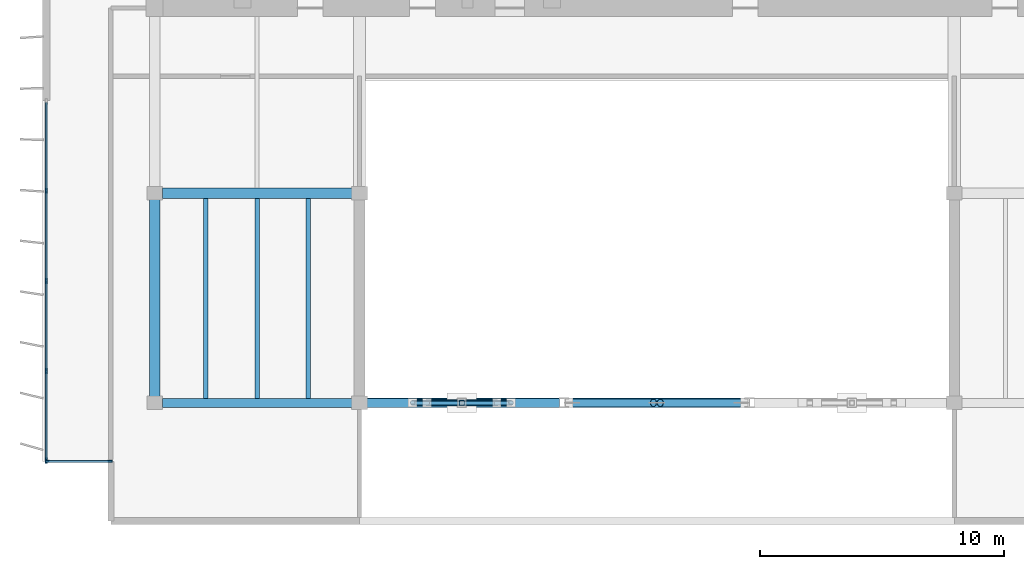
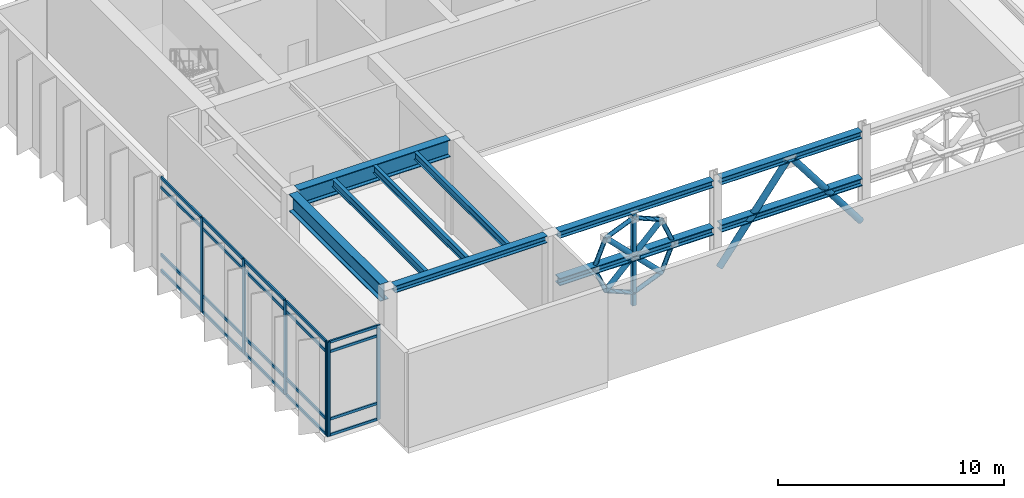
# One storey, part 2 of 10: 43 members, 10 beams, 2 elements without a shape of their own.
"""IFC4 building model written with IfcOpenShell, lengths in metres."""

import ifcopenshell
import ifcopenshell.guid

model = None  # the IFC model being written
_history = None  # IfcOwnerHistory: only IFC2X3 demands one
_inside = {}  # id of a spatial element -> (the spatial element, [elements in it])
_under = {}  # id of a project, library or spatial element -> (it, [spatial elements below it])
_declared = {}  # id of a project -> (the project, [libraries it declares])
_typed = {}  # id of a type object -> (the type object, [elements of that type])
_made_of = {}  # id of a material, layer set ... -> (it, [elements and type objects made of it])


def new_model(schema):
    """Start an empty IFC model of exactly this schema.

    Asked for "IFC4X3", IfcOpenShell would pick the latest addendum, in which some entities
    have other attributes; the version numbers below select the first issue.
    IFC2X3 requires an IfcOwnerHistory on every rooted entity: one is made here for all.
    """
    global model, _history
    if schema == "IFC4X3":
        model = ifcopenshell.file(schema_version=(4, 3, 0, 0))
    else:
        model = ifcopenshell.file(schema=schema)
    _inside.clear()
    _under.clear()
    _declared.clear()
    _typed.clear()
    _made_of.clear()
    _history = None
    if model.schema == "IFC2X3":
        org = make("IfcOrganization", Name="unknown")
        user = make(
            "IfcPersonAndOrganization",
            ThePerson=make("IfcPerson", FamilyName="unknown"),
            TheOrganization=org,
        )
        app = make(
            "IfcApplication",
            ApplicationDeveloper=org,
            Version="unknown",
            ApplicationFullName="unknown",
            ApplicationIdentifier="unknown",
        )
        _history = make(
            "IfcOwnerHistory",
            OwningUser=user,
            OwningApplication=app,
            ChangeAction="ADDED",
            CreationDate=0,
        )
    return model


def make(cls, **values):
    """One entity of the class cls with the attributes given. An attribute that is None is left unset."""
    return model.create_entity(
        cls, **{name: value for name, value in values.items() if value is not None}
    )


def rooted(cls, **values):
    """An entity with a GlobalId (a new one), such as an element, a storey or a relation."""
    return make(cls, GlobalId=ifcopenshell.guid.new(), OwnerHistory=_history, **values)


def si_unit(unit_type, name, prefix=None):
    """IfcSIUnit, for example si_unit("LENGTHUNIT", "METRE", prefix="MILLI")."""
    return make("IfcSIUnit", UnitType=unit_type, Prefix=prefix, Name=name)


def assignment(units):
    """IfcUnitAssignment: the units of a project."""
    return None if units is None else make("IfcUnitAssignment", Units=units)


def point(xyz):
    """IfcCartesianPoint."""
    return None if xyz is None else make("IfcCartesianPoint", Coordinates=xyz)


def direction(xyz):
    """IfcDirection."""
    return None if xyz is None else make("IfcDirection", DirectionRatios=xyz)


def frame(location, z_axis=None, x_axis=None):
    """IfcAxis2Placement3D, a coordinate frame: its origin and axes. An axis left out is left unset."""
    return make(
        "IfcAxis2Placement3D",
        Location=point(location),
        Axis=direction(z_axis),
        RefDirection=direction(x_axis),
    )


def frame_2d(location, x_axis=None):
    """IfcAxis2Placement2D, a coordinate frame in the plane: its origin and x axis."""
    return make(
        "IfcAxis2Placement2D", Location=point(location), RefDirection=direction(x_axis)
    )


def origin():
    """The frame at (0, 0, 0) with its axes left unset."""
    return frame((0.0, 0.0, 0.0))


def origin_2d():
    """The frame at (0, 0) in the plane with its x axis left unset."""
    return frame_2d((0.0, 0.0))


def place(relative_to, where):
    """IfcLocalPlacement: puts the frame where relative to a parent placement (None: the world)."""
    return make(
        "IfcLocalPlacement", PlacementRelTo=relative_to, RelativePlacement=where
    )


def context(
    kind, dimensions, precision=None, world=None, true_north=None, identifier=None
):
    """IfcGeometricRepresentationContext, for example the 3D "Model" context."""
    return make(
        "IfcGeometricRepresentationContext",
        ContextIdentifier=identifier,
        ContextType=kind,
        CoordinateSpaceDimension=dimensions,
        Precision=precision,
        WorldCoordinateSystem=world,
        TrueNorth=true_north,
    )


def subcontext(parent, identifier, kind, view, scale=None):
    """IfcGeometricRepresentationSubContext, for example "Body" below "Model"."""
    return make(
        "IfcGeometricRepresentationSubContext",
        ContextIdentifier=identifier,
        ContextType=kind,
        ParentContext=parent,
        TargetScale=scale,
        TargetView=view,
    )


def project(units=None, contexts=None):
    """IfcProject with its units and contexts."""
    return rooted(
        "IfcProject",
        Name="project",
        RepresentationContexts=contexts,
        UnitsInContext=assignment(units),
    )


def spatial(cls, under=None, at=None, **own):
    """A site, building, storey or space (cls), placed at a placement, below another one or the project."""
    s = rooted(cls, ObjectPlacement=at, **own)
    if under is not None:
        _under.setdefault(under.id(), (under, []))[1].append(s)
    return s


def profile(cls, at=None, kind="AREA", **sizes):
    """A parametric profile (cls). Its sizes go by their IFC names, for example OverallWidth=200.0."""
    return make(cls, ProfileType=kind, Position=at, **sizes)


def rectangle(**sizes):
    """IfcRectangleProfileDef."""
    return profile("IfcRectangleProfileDef", **sizes)


def hollow_rectangle(**sizes):
    """IfcRectangleHollowProfileDef."""
    return profile("IfcRectangleHollowProfileDef", **sizes)


def hollow_circle(**sizes):
    """IfcCircleHollowProfileDef."""
    return profile("IfcCircleHollowProfileDef", **sizes)


def i_section(**sizes):
    """IfcIShapeProfileDef."""
    return profile("IfcIShapeProfileDef", **sizes)


def extrude(swept, where, along, depth):
    """IfcExtrudedAreaSolid: the profile swept, set in the frame where, extruded along a direction by depth."""
    return make(
        "IfcExtrudedAreaSolid",
        SweptArea=swept,
        Position=where,
        ExtrudedDirection=direction(along),
        Depth=depth,
    )


def shape(context_of_items, identifier, shape_type, items):
    """IfcShapeRepresentation: the items that make up one representation, for example the "Body"."""
    return make(
        "IfcShapeRepresentation",
        ContextOfItems=context_of_items,
        RepresentationIdentifier=identifier,
        RepresentationType=shape_type,
        Items=items,
    )


def material(Name=None, Category=None):
    """IfcMaterial."""
    return make("IfcMaterial", Name=Name, Category=Category)


def layer(
    of_material, thickness, ventilated=None, Name=None, Category=None, Priority=None
):
    """IfcMaterialLayer: one layer of a wall or slab, of a material (None: an air gap)."""
    return make(
        "IfcMaterialLayer",
        Material=of_material,
        LayerThickness=thickness,
        IsVentilated=ventilated,
        Name=Name,
        Category=Category,
        Priority=Priority,
    )


def layer_set(layers, Name=None):
    """IfcMaterialLayerSet."""
    return make("IfcMaterialLayerSet", MaterialLayers=layers, LayerSetName=Name)


def material_profile(
    of_material, cross_section, Name=None, Category=None, Priority=None
):
    """IfcMaterialProfile: a cross section and its material."""
    return make(
        "IfcMaterialProfile",
        Name=Name,
        Material=of_material,
        Profile=cross_section,
        Priority=Priority,
        Category=Category,
    )


def profile_set(profiles, Name=None, composite=None):
    """IfcMaterialProfileSet."""
    return make(
        "IfcMaterialProfileSet",
        Name=Name,
        MaterialProfiles=profiles,
        CompositeProfile=composite,
    )


def made_of(thing, what):
    """Note that an element or type object is made of a material, layer set ...; save() writes the relation."""
    if what is not None:
        _made_of.setdefault(what.id(), (what, []))[1].append(thing)
    return thing


def type_object(cls, material=None, **own):
    """A type object (cls), such as IfcWallType, which elements share."""
    return made_of(rooted(cls, **own), material)


def element(
    cls,
    number,
    at=None,
    inside=None,
    cuts=None,
    type_object=None,
    material=None,
    context=None,
    identifier="Body",
    shape_type=None,
    held_by="IfcProductDefinitionShape",
    body=None,
    shapes=None,
    **own,
):
    """One element of the class cls, such as IfcWall. Its Tag is "e" and its number.

    at: its placement. inside: the storey or other place that contains it. cuts: it is an
    opening in that element (IfcRelVoidsElement). A single representation is given by context,
    identifier, shape_type and body (its items); several are given by shapes. held_by: the class
    of the entity that holds the representations. save() writes the other relations.
    """
    e = rooted(cls, Tag="e%d" % number, ObjectPlacement=at, **own)
    if body is not None:
        shapes = [shape(context, identifier, shape_type, body)]
    if shapes is not None:
        e.Representation = make(held_by, Representations=shapes)
    if inside is not None:
        _inside.setdefault(inside.id(), (inside, []))[1].append(e)
    if cuts is not None:
        rooted(
            "IfcRelVoidsElement", RelatingBuildingElement=cuts, RelatedOpeningElement=e
        )
    if type_object is not None:
        _typed.setdefault(type_object.id(), (type_object, []))[1].append(e)
    return made_of(e, material)


def aggregate(whole, parts):
    """IfcRelAggregates: a whole, such as a stair, and the parts it consists of."""
    return rooted("IfcRelAggregates", RelatingObject=whole, RelatedObjects=parts)


def save(model, path):
    """Write the relations noted so far, then the file.

    IfcRelAggregates (storeys below a building ...), IfcRelContainedInSpatialStructure (elements
    in a storey), IfcRelDefinesByType, IfcRelAssociatesMaterial and IfcRelDeclares: one each for
    every whole, place, type object, material and project.
    """
    for whole, parts in _under.values():
        aggregate(whole, parts)
    for where, things in _inside.values():
        rooted(
            "IfcRelContainedInSpatialStructure",
            RelatedElements=things,
            RelatingStructure=where,
        )
    for kind, things in _typed.values():
        rooted("IfcRelDefinesByType", RelatedObjects=things, RelatingType=kind)
    for what, things in _made_of.values():
        rooted("IfcRelAssociatesMaterial", RelatedObjects=things, RelatingMaterial=what)
    for by, libraries in _declared.values():
        rooted("IfcRelDeclares", RelatingContext=by, RelatedDefinitions=libraries)
    model.write(path)


model = new_model("IFC4")

# Units and contexts
model_context = context("Model", 3, precision=1e-05, world=origin(), true_north=direction((0.0, 1.0)))
body_context = subcontext(model_context, "Body", "Model", "MODEL_VIEW")
ifc_project = project(units=[si_unit("LENGTHUNIT", "METRE"), si_unit("AREAUNIT", "SQUARE_METRE"), si_unit("VOLUMEUNIT", "CUBIC_METRE"), si_unit("PLANEANGLEUNIT", "RADIAN"), si_unit("MASSUNIT", "GRAM", prefix="KILO")], contexts=[model_context])

# Site, building, storey
site_placement = place(None, origin())
site = spatial("IfcSite", under=ifc_project, at=site_placement, CompositionType="ELEMENT")
building_placement = place(site_placement, origin())
building = spatial("IfcBuilding", under=site, at=building_placement, Name="Caelmar Bay Residences", CompositionType="ELEMENT")
storey_placement = place(building_placement, frame((0.0, 0.0, 284.800048828125)))
storey = spatial("IfcBuildingStorey", under=building, at=storey_placement, Name="L79", CompositionType="ELEMENT", Elevation=284.800048828125)

# Beams
ifc_material_1 = material(Name="Steel ASTM A992 Grade 50", Category="steel")
ifc_material_profile_1 = material_profile(ifc_material_1, i_section(OverallWidth=0.177978515625, OverallDepth=0.406005859375, WebThickness=0.0078125, FlangeThickness=0.0126953125, FilletRadius=0.0087890625, at=origin_2d()), Name="W16X40")
ifc_profile_set_1 = profile_set([ifc_material_profile_1], Name="Steel ASTM A992 Grade 50")
beam_type_1 = type_object("IfcBeamType", Name="BM-BAL-W16X40", PredefinedType="JOIST", material=ifc_profile_set_1)
for number, where, z_axis, x_axis, name in (
    (1, (20.39990234375, 20.986572265625, 4.89697265625), (0.0, 1.0, 0.0), (-1.0, 0.0, 0.0), "L79 Composite Floor Joist 1"),
    (2, (22.5, 20.986572265625, 4.89697265625), (0.0, 1.0, 0.0), (-1.0, 0.0, 0.0), "L79 Composite Floor Joist 2"),
    (3, (24.60009765625, 20.986572265625, 4.89697265625), (0.0, 1.0, 0.0), (-1.0, 0.0, 0.0), "L79 Composite Floor Joist 3"),
):
    element("IfcBeam", number, at=place(storey_placement, frame(where, z_axis=z_axis, x_axis=x_axis)), inside=storey, type_object=beam_type_1, Name=name, PredefinedType="JOIST", context=body_context, shape_type="SweptSolid", body=[
        extrude(i_section(OverallWidth=0.177978515625, OverallDepth=0.406005859375, WebThickness=0.0078125, FlangeThickness=0.0126953125, FilletRadius=0.0087890625, at=origin_2d()), origin(), (0.0, 0.0, 1.0), 8.202392578125),
    ])
ifc_material_profile_2 = material_profile(ifc_material_1, i_section(OverallWidth=0.373046875, OverallDepth=0.373046875, WebThickness=0.016357421875, FlangeThickness=0.026123046875, FilletRadius=0.01513671875, at=origin_2d()), Name="W14X132")
ifc_profile_set_2 = profile_set([ifc_material_profile_2], Name="Steel ASTM A992 Grade 50")
beam_type_2 = type_object("IfcBeamType", Name="BM-CHD-W14X132", PredefinedType="BEAM", material=ifc_profile_set_2)
beam_1_placement = place(storey_placement, frame((18.614990234375, 20.800048828125, 4.913330078125), z_axis=(1.0, 0.0, 0.0), x_axis=(0.0, 1.0, 0.0)))
element("IfcBeam", 4, at=beam_1_placement, inside=storey, type_object=beam_type_2, Name="L79 East-West Girder Y=20.80 (18.3-26.7)", PredefinedType="BEAM", context=body_context, shape_type="SweptSolid", body=[
    extrude(i_section(OverallWidth=0.373046875, OverallDepth=0.373046875, WebThickness=0.016357421875, FlangeThickness=0.026123046875, FilletRadius=0.01513671875, at=origin_2d()), origin(), (0.0, 0.0, 1.0), 7.77001953125),
])
beam_2_placement = place(storey_placement, frame((27.014892578125, 20.800048828125, 4.913330078125), z_axis=(1.0, 0.0, 0.0), x_axis=(0.0, 1.0, 0.0)))
element("IfcBeam", 5, at=beam_2_placement, inside=storey, type_object=beam_type_2, Name="L79 East-West Girder Y=20.80 (26.7-35.1)", PredefinedType="BEAM", context=body_context, shape_type="SweptSolid", body=[
    extrude(i_section(OverallWidth=0.373046875, OverallDepth=0.373046875, WebThickness=0.016357421875, FlangeThickness=0.026123046875, FilletRadius=0.01513671875, at=origin_2d()), origin(), (0.0, 0.0, 1.0), 7.8896484375),
])
beam_3_placement = place(storey_placement, frame((35.29541015625, 20.800048828125, 4.913330078125), z_axis=(1.0, 0.0, 0.0), x_axis=(0.0, 1.0, 0.0)))
element("IfcBeam", 6, at=beam_3_placement, inside=storey, type_object=beam_type_2, Name="L79 East-West Girder Y=20.80 (35.1-42.7)", PredefinedType="BEAM", context=body_context, shape_type="SweptSolid", body=[
    extrude(i_section(OverallWidth=0.373046875, OverallDepth=0.373046875, WebThickness=0.016357421875, FlangeThickness=0.026123046875, FilletRadius=0.01513671875, at=origin_2d()), origin(), (0.0, 0.0, 1.0), 7.208984375),
])
ifc_material_profile_3 = material_profile(ifc_material_1, i_section(OverallWidth=0.40087890625, OverallDepth=0.39892578125, WebThickness=0.02490234375, FlangeThickness=0.03955078125, FilletRadius=0.01513671875, at=origin_2d()), Name="W14X211")
ifc_profile_set_3 = profile_set([ifc_material_profile_3], Name="Steel ASTM A992 Grade 50")
beam_type_3 = type_object("IfcBeamType", Name="BM-CHD-W14X211", PredefinedType="BEAM", material=ifc_profile_set_3)
beam_4_placement = place(storey_placement, frame((27.014892578125, 20.800048828125, 2.371337890625), z_axis=(1.0, 0.0, 0.0), x_axis=(0.0, 1.0, 0.0)))
element("IfcBeam", 7, at=beam_4_placement, inside=storey, type_object=beam_type_3, Name="Venturi Turbine Nacelle Hub Support Beam 1", PredefinedType="BEAM", context=body_context, shape_type="SweptSolid", body=[
    extrude(i_section(OverallWidth=0.40087890625, OverallDepth=0.39892578125, WebThickness=0.02490234375, FlangeThickness=0.03955078125, FilletRadius=0.01513671875, at=origin_2d()), origin(), (0.0, 0.0, 1.0), 7.8896484375),
])
beam_5_placement = place(storey_placement, frame((35.29541015625, 20.800048828125, 2.371337890625), z_axis=(1.0, 0.0, 0.0), x_axis=(0.0, 1.0, 0.0)))
element("IfcBeam", 8, at=beam_5_placement, inside=storey, type_object=beam_type_3, Name="Venturi Turbine Nacelle Hub Support Beam 2", PredefinedType="BEAM", context=body_context, shape_type="SweptSolid", body=[
    extrude(i_section(OverallWidth=0.40087890625, OverallDepth=0.39892578125, WebThickness=0.02490234375, FlangeThickness=0.03955078125, FilletRadius=0.01513671875, at=origin_2d()), origin(), (0.0, 0.0, 1.0), 7.208984375),
])
ifc_material_profile_4 = material_profile(ifc_material_1, i_section(OverallWidth=0.422119140625, OverallDepth=0.925048828125, WebThickness=0.021240234375, FlangeThickness=0.03662109375, FilletRadius=0.020263671875, at=origin_2d()), Name="W36X262")
ifc_profile_set_4 = profile_set([ifc_material_profile_4], Name="Steel ASTM A992 Grade 50")
beam_type_4 = type_object("IfcBeamType", Name="BM-GRD-W36X262", PredefinedType="BEAM", material=ifc_profile_set_4)
beam_6_placement = place(storey_placement, frame((18.614990234375, 29.39990234375, 4.637451171875), z_axis=(1.0, 0.0, 0.0), x_axis=(0.0, 1.0, 0.0)))
element("IfcBeam", 9, at=beam_6_placement, inside=storey, type_object=beam_type_4, Name="L79 East-West Girder Y=29.40 (18.3-26.7)", PredefinedType="BEAM", context=body_context, shape_type="SweptSolid", body=[
    extrude(i_section(OverallWidth=0.422119140625, OverallDepth=0.925048828125, WebThickness=0.021240234375, FlangeThickness=0.03662109375, FilletRadius=0.020263671875, at=origin_2d()), origin(), (0.0, 0.0, 1.0), 7.77001953125),
])
beam_7_placement = place(storey_placement, frame((18.300048828125, 21.06494140625, 4.637451171875), z_axis=(0.0, 1.0, 0.0), x_axis=(-1.0, 0.0, 0.0)))
element("IfcBeam", 10, at=beam_7_placement, inside=storey, type_object=beam_type_4, Name="L79 North-South Girder X=18.30 (20.8-29.4)", PredefinedType="BEAM", context=body_context, shape_type="SweptSolid", body=[
    extrude(i_section(OverallWidth=0.422119140625, OverallDepth=0.925048828125, WebThickness=0.021240234375, FlangeThickness=0.03662109375, FilletRadius=0.020263671875, at=origin_2d()), origin(), (0.0, 0.0, 1.0), 8.070068359375),
])

# Curtain wall, members
ifc_material_2 = material(Name="Anodised bronze aluminium 6063-T6 and laminated glass", Category="aluminium")
ifc_layer_1 = layer(ifc_material_2, 0.179931640625)
ifc_layer_set_1 = layer_set([ifc_layer_1], Name="Anodised bronze aluminium 6063-T6 and laminated glass")
curtain_wall_type_1 = type_object("IfcCurtainWallType", Name="CW6-NTC", PredefinedType="NOTDEFINED", material=ifc_layer_set_1)
curtain_wall_1_placement = place(storey_placement, origin())
curtain_wall_1 = element("IfcCurtainWall", 11, at=curtain_wall_1_placement, inside=storey, type_object=curtain_wall_type_1, Name="CW6 curtain wall L79", PredefinedType="NOTDEFINED")
ifc_material_3 = material(Name="Anodised bronze aluminium 6063-T6", Category="aluminium")
ifc_material_profile_5 = material_profile(ifc_material_3, rectangle(XDim=0.080078125, YDim=0.179931640625, at=origin_2d()), Name="CWM-80X180")
ifc_profile_set_5 = profile_set([ifc_material_profile_5], Name="Anodised bronze aluminium 6063-T6")
member_type_1 = type_object("IfcMemberType", Name="CWM-180", PredefinedType="MULLION", material=ifc_profile_set_5)
member_1_placement = place(storey_placement, frame((13.889892578125, 18.39990234375, 0.0), z_axis=(0.0, 0.0, 1.0), x_axis=(0.0, 1.0, 0.0)))
member_1 = element("IfcMember", 12, at=member_1_placement, type_object=member_type_1, Name="CW6 mullion 1", PredefinedType="MULLION", context=body_context, shape_type="SweptSolid", body=[
    extrude(rectangle(XDim=0.080078125, YDim=0.179931640625, at=origin_2d()), origin(), (0.0, 0.0, 1.0), 5.099853515625),
])
member_2_placement = place(storey_placement, frame((16.4599609375, 18.39990234375, 0.0), z_axis=(0.0, 0.0, 1.0), x_axis=(0.0, 1.0, 0.0)))
member_2 = element("IfcMember", 13, at=member_2_placement, type_object=member_type_1, Name="CW6 mullion 2", PredefinedType="MULLION", context=body_context, shape_type="SweptSolid", body=[
    extrude(rectangle(XDim=0.080078125, YDim=0.179931640625, at=origin_2d()), origin(), (0.0, 0.0, 1.0), 5.099853515625),
])

ifc_layer_2 = layer(ifc_material_2, 0.179931640625)
ifc_layer_set_2 = layer_set([ifc_layer_2], Name="Anodised bronze aluminium 6063-T6 and laminated glass")
curtain_wall_type_2 = type_object("IfcCurtainWallType", Name="CW7-CRN", PredefinedType="NOTDEFINED", material=ifc_layer_set_2)
curtain_wall_2_placement = place(storey_placement, origin())
curtain_wall_2 = element("IfcCurtainWall", 14, at=curtain_wall_2_placement, inside=storey, type_object=curtain_wall_type_2, Name="CW7 curtain wall L79", PredefinedType="NOTDEFINED")
ifc_material_profile_6 = material_profile(ifc_material_3, rectangle(XDim=0.080078125, YDim=0.219970703125, at=origin_2d()), Name="CWM-80X220")
ifc_profile_set_6 = profile_set([ifc_material_profile_6], Name="Anodised bronze aluminium 6063-T6")
member_type_2 = type_object("IfcMemberType", Name="CWM-220", PredefinedType="MULLION", material=ifc_profile_set_6)
member_3_placement = place(storey_placement, frame((13.85009765625, 18.43994140625, 0.0), z_axis=(0.0, 0.0, 1.0), x_axis=(-1.0, 0.0, 0.0)))
member_3 = element("IfcMember", 15, at=member_3_placement, type_object=member_type_2, Name="CW7 mullion 1", PredefinedType="MULLION", context=body_context, shape_type="SweptSolid", body=[
    extrude(rectangle(XDim=0.080078125, YDim=0.219970703125, at=origin_2d()), origin(), (0.0, 0.0, 1.0), 5.099853515625),
])
member_4_placement = place(storey_placement, frame((13.85009765625, 22.10009765625, 0.0), z_axis=(0.0, 0.0, 1.0), x_axis=(-1.0, 0.0, 0.0)))
member_4 = element("IfcMember", 16, at=member_4_placement, type_object=member_type_2, Name="CW7 mullion 2", PredefinedType="MULLION", context=body_context, shape_type="SweptSolid", body=[
    extrude(rectangle(XDim=0.080078125, YDim=0.219970703125, at=origin_2d()), origin(), (0.0, 0.0, 1.0), 5.099853515625),
])
member_5_placement = place(storey_placement, frame((13.85009765625, 25.800048828125, 0.0), z_axis=(0.0, 0.0, 1.0), x_axis=(-1.0, 0.0, 0.0)))
member_5 = element("IfcMember", 17, at=member_5_placement, type_object=member_type_2, Name="CW7 mullion 3", PredefinedType="MULLION", context=body_context, shape_type="SweptSolid", body=[
    extrude(rectangle(XDim=0.080078125, YDim=0.219970703125, at=origin_2d()), origin(), (0.0, 0.0, 1.0), 5.099853515625),
])
member_6_placement = place(storey_placement, frame((13.85009765625, 29.5, 0.0), z_axis=(0.0, 0.0, 1.0), x_axis=(-1.0, 0.0, 0.0)))
member_6 = element("IfcMember", 18, at=member_6_placement, type_object=member_type_2, Name="CW7 mullion 4", PredefinedType="MULLION", context=body_context, shape_type="SweptSolid", body=[
    extrude(rectangle(XDim=0.080078125, YDim=0.219970703125, at=origin_2d()), origin(), (0.0, 0.0, 1.0), 5.099853515625),
])

# Member
ifc_material_profile_7 = material_profile(ifc_material_3, rectangle(XDim=0.080078125, YDim=0.139892578125, at=origin_2d()), Name="CWT-80X140")
ifc_profile_set_7 = profile_set([ifc_material_profile_7], Name="Anodised bronze aluminium 6063-T6")
member_type_3 = type_object("IfcMemberType", Name="CWT-140", PredefinedType="NOTDEFINED", material=ifc_profile_set_7)
member_7_placement = place(storey_placement, frame((13.929931640625, 18.39990234375, 0.0400390625), z_axis=(1.0, 0.0, 0.0), x_axis=(0.0, 1.0, 0.0)))
member_7 = element("IfcMember", 19, at=member_7_placement, type_object=member_type_3, Name="CW6 transom 1.1", ObjectType="TRANSOM", PredefinedType="USERDEFINED", context=body_context, shape_type="SweptSolid", body=[
    extrude(rectangle(XDim=0.080078125, YDim=0.139892578125, at=origin_2d()), origin(), (0.0, 0.0, 1.0), 2.489990234375),
])

member_8_placement = place(storey_placement, frame((13.929931640625, 18.39990234375, 0.89990234375), z_axis=(1.0, 0.0, 0.0), x_axis=(0.0, 1.0, 0.0)))
member_8 = element("IfcMember", 20, at=member_8_placement, type_object=member_type_3, Name="CW6 transom 1.2", ObjectType="TRANSOM", PredefinedType="USERDEFINED", context=body_context, shape_type="SweptSolid", body=[
    extrude(rectangle(XDim=0.080078125, YDim=0.139892578125, at=origin_2d()), origin(), (0.0, 0.0, 1.0), 2.489990234375),
])

member_9_placement = place(storey_placement, frame((13.929931640625, 18.39990234375, 4.550048828125), z_axis=(1.0, 0.0, 0.0), x_axis=(0.0, 1.0, 0.0)))
member_9 = element("IfcMember", 21, at=member_9_placement, type_object=member_type_3, Name="CW6 transom 1.3", ObjectType="TRANSOM", PredefinedType="USERDEFINED", context=body_context, shape_type="SweptSolid", body=[
    extrude(rectangle(XDim=0.080078125, YDim=0.139892578125, at=origin_2d()), origin(), (0.0, 0.0, 1.0), 2.489990234375),
])

member_10_placement = place(storey_placement, frame((13.929931640625, 18.39990234375, 5.06005859375), z_axis=(1.0, 0.0, 0.0), x_axis=(0.0, 1.0, 0.0)))
member_10 = element("IfcMember", 22, at=member_10_placement, type_object=member_type_3, Name="CW6 transom 1.4", ObjectType="TRANSOM", PredefinedType="USERDEFINED", context=body_context, shape_type="SweptSolid", body=[
    extrude(rectangle(XDim=0.080078125, YDim=0.139892578125, at=origin_2d()), origin(), (0.0, 0.0, 1.0), 2.489990234375),
])

aggregate(curtain_wall_1, [member_1, member_2, member_7, member_8, member_9, member_10])

ifc_material_profile_8 = material_profile(ifc_material_3, rectangle(XDim=0.080078125, YDim=0.159912109375, at=origin_2d()), Name="CWT-80X160")
ifc_profile_set_8 = profile_set([ifc_material_profile_8], Name="Anodised bronze aluminium 6063-T6")
member_type_4 = type_object("IfcMemberType", Name="CWT-160", PredefinedType="NOTDEFINED", material=ifc_profile_set_8)
member_11_placement = place(storey_placement, frame((13.85009765625, 18.47998046875, 0.0400390625), z_axis=(0.0, 1.0, 0.0), x_axis=(-1.0, 0.0, 0.0)))
member_11 = element("IfcMember", 23, at=member_11_placement, type_object=member_type_4, Name="CW7 transom 1.1", ObjectType="TRANSOM", PredefinedType="USERDEFINED", context=body_context, shape_type="SweptSolid", body=[
    extrude(rectangle(XDim=0.080078125, YDim=0.159912109375, at=origin_2d()), origin(), (0.0, 0.0, 1.0), 3.580078125),
])

member_12_placement = place(storey_placement, frame((13.85009765625, 18.47998046875, 0.89990234375), z_axis=(0.0, 1.0, 0.0), x_axis=(-1.0, 0.0, 0.0)))
member_12 = element("IfcMember", 24, at=member_12_placement, type_object=member_type_4, Name="CW7 transom 1.2", ObjectType="TRANSOM", PredefinedType="USERDEFINED", context=body_context, shape_type="SweptSolid", body=[
    extrude(rectangle(XDim=0.080078125, YDim=0.159912109375, at=origin_2d()), origin(), (0.0, 0.0, 1.0), 3.580078125),
])

member_13_placement = place(storey_placement, frame((13.85009765625, 18.47998046875, 4.550048828125), z_axis=(0.0, 1.0, 0.0), x_axis=(-1.0, 0.0, 0.0)))
member_13 = element("IfcMember", 25, at=member_13_placement, type_object=member_type_4, Name="CW7 transom 1.3", ObjectType="TRANSOM", PredefinedType="USERDEFINED", context=body_context, shape_type="SweptSolid", body=[
    extrude(rectangle(XDim=0.080078125, YDim=0.159912109375, at=origin_2d()), origin(), (0.0, 0.0, 1.0), 3.580078125),
])

member_14_placement = place(storey_placement, frame((13.85009765625, 18.47998046875, 5.06005859375), z_axis=(0.0, 1.0, 0.0), x_axis=(-1.0, 0.0, 0.0)))
member_14 = element("IfcMember", 26, at=member_14_placement, type_object=member_type_4, Name="CW7 transom 1.4", ObjectType="TRANSOM", PredefinedType="USERDEFINED", context=body_context, shape_type="SweptSolid", body=[
    extrude(rectangle(XDim=0.080078125, YDim=0.159912109375, at=origin_2d()), origin(), (0.0, 0.0, 1.0), 3.580078125),
])

member_15_placement = place(storey_placement, frame((13.85009765625, 22.139892578125, 0.0400390625), z_axis=(0.0, 1.0, 0.0), x_axis=(-1.0, 0.0, 0.0)))
member_15 = element("IfcMember", 27, at=member_15_placement, type_object=member_type_4, Name="CW7 transom 2.1", ObjectType="TRANSOM", PredefinedType="USERDEFINED", context=body_context, shape_type="SweptSolid", body=[
    extrude(rectangle(XDim=0.080078125, YDim=0.159912109375, at=origin_2d()), origin(), (0.0, 0.0, 1.0), 3.6201171875),
])

member_16_placement = place(storey_placement, frame((13.85009765625, 22.139892578125, 0.89990234375), z_axis=(0.0, 1.0, 0.0), x_axis=(-1.0, 0.0, 0.0)))
member_16 = element("IfcMember", 28, at=member_16_placement, type_object=member_type_4, Name="CW7 transom 2.2", ObjectType="TRANSOM", PredefinedType="USERDEFINED", context=body_context, shape_type="SweptSolid", body=[
    extrude(rectangle(XDim=0.080078125, YDim=0.159912109375, at=origin_2d()), origin(), (0.0, 0.0, 1.0), 3.6201171875),
])

member_17_placement = place(storey_placement, frame((13.85009765625, 22.139892578125, 4.550048828125), z_axis=(0.0, 1.0, 0.0), x_axis=(-1.0, 0.0, 0.0)))
member_17 = element("IfcMember", 29, at=member_17_placement, type_object=member_type_4, Name="CW7 transom 2.3", ObjectType="TRANSOM", PredefinedType="USERDEFINED", context=body_context, shape_type="SweptSolid", body=[
    extrude(rectangle(XDim=0.080078125, YDim=0.159912109375, at=origin_2d()), origin(), (0.0, 0.0, 1.0), 3.6201171875),
])

member_18_placement = place(storey_placement, frame((13.85009765625, 22.139892578125, 5.06005859375), z_axis=(0.0, 1.0, 0.0), x_axis=(-1.0, 0.0, 0.0)))
member_18 = element("IfcMember", 30, at=member_18_placement, type_object=member_type_4, Name="CW7 transom 2.4", ObjectType="TRANSOM", PredefinedType="USERDEFINED", context=body_context, shape_type="SweptSolid", body=[
    extrude(rectangle(XDim=0.080078125, YDim=0.159912109375, at=origin_2d()), origin(), (0.0, 0.0, 1.0), 3.6201171875),
])

member_19_placement = place(storey_placement, frame((13.85009765625, 25.840087890625, 0.0400390625), z_axis=(0.0, 1.0, 0.0), x_axis=(-1.0, 0.0, 0.0)))
member_19 = element("IfcMember", 31, at=member_19_placement, type_object=member_type_4, Name="CW7 transom 3.1", ObjectType="TRANSOM", PredefinedType="USERDEFINED", context=body_context, shape_type="SweptSolid", body=[
    extrude(rectangle(XDim=0.080078125, YDim=0.159912109375, at=origin_2d()), origin(), (0.0, 0.0, 1.0), 3.619873046875),
])

member_20_placement = place(storey_placement, frame((13.85009765625, 25.840087890625, 0.89990234375), z_axis=(0.0, 1.0, 0.0), x_axis=(-1.0, 0.0, 0.0)))
member_20 = element("IfcMember", 32, at=member_20_placement, type_object=member_type_4, Name="CW7 transom 3.2", ObjectType="TRANSOM", PredefinedType="USERDEFINED", context=body_context, shape_type="SweptSolid", body=[
    extrude(rectangle(XDim=0.080078125, YDim=0.159912109375, at=origin_2d()), origin(), (0.0, 0.0, 1.0), 3.619873046875),
])

member_21_placement = place(storey_placement, frame((13.85009765625, 25.840087890625, 4.550048828125), z_axis=(0.0, 1.0, 0.0), x_axis=(-1.0, 0.0, 0.0)))
member_21 = element("IfcMember", 33, at=member_21_placement, type_object=member_type_4, Name="CW7 transom 3.3", ObjectType="TRANSOM", PredefinedType="USERDEFINED", context=body_context, shape_type="SweptSolid", body=[
    extrude(rectangle(XDim=0.080078125, YDim=0.159912109375, at=origin_2d()), origin(), (0.0, 0.0, 1.0), 3.619873046875),
])

member_22_placement = place(storey_placement, frame((13.85009765625, 25.840087890625, 5.06005859375), z_axis=(0.0, 1.0, 0.0), x_axis=(-1.0, 0.0, 0.0)))
member_22 = element("IfcMember", 34, at=member_22_placement, type_object=member_type_4, Name="CW7 transom 3.4", ObjectType="TRANSOM", PredefinedType="USERDEFINED", context=body_context, shape_type="SweptSolid", body=[
    extrude(rectangle(XDim=0.080078125, YDim=0.159912109375, at=origin_2d()), origin(), (0.0, 0.0, 1.0), 3.619873046875),
])

member_23_placement = place(storey_placement, frame((13.85009765625, 29.5400390625, 0.0400390625), z_axis=(0.0, 1.0, 0.0), x_axis=(-1.0, 0.0, 0.0)))
member_23 = element("IfcMember", 35, at=member_23_placement, type_object=member_type_4, Name="CW7 transom 4.1", ObjectType="TRANSOM", PredefinedType="USERDEFINED", context=body_context, shape_type="SweptSolid", body=[
    extrude(rectangle(XDim=0.080078125, YDim=0.159912109375, at=origin_2d()), origin(), (0.0, 0.0, 1.0), 3.580078125),
])

member_24_placement = place(storey_placement, frame((13.85009765625, 29.5400390625, 0.89990234375), z_axis=(0.0, 1.0, 0.0), x_axis=(-1.0, 0.0, 0.0)))
member_24 = element("IfcMember", 36, at=member_24_placement, type_object=member_type_4, Name="CW7 transom 4.2", ObjectType="TRANSOM", PredefinedType="USERDEFINED", context=body_context, shape_type="SweptSolid", body=[
    extrude(rectangle(XDim=0.080078125, YDim=0.159912109375, at=origin_2d()), origin(), (0.0, 0.0, 1.0), 3.580078125),
])

member_25_placement = place(storey_placement, frame((13.85009765625, 29.5400390625, 4.550048828125), z_axis=(0.0, 1.0, 0.0), x_axis=(-1.0, 0.0, 0.0)))
member_25 = element("IfcMember", 37, at=member_25_placement, type_object=member_type_4, Name="CW7 transom 4.3", ObjectType="TRANSOM", PredefinedType="USERDEFINED", context=body_context, shape_type="SweptSolid", body=[
    extrude(rectangle(XDim=0.080078125, YDim=0.159912109375, at=origin_2d()), origin(), (0.0, 0.0, 1.0), 3.580078125),
])

member_26_placement = place(storey_placement, frame((13.85009765625, 29.5400390625, 5.06005859375), z_axis=(0.0, 1.0, 0.0), x_axis=(-1.0, 0.0, 0.0)))
member_26 = element("IfcMember", 38, at=member_26_placement, type_object=member_type_4, Name="CW7 transom 4.4", ObjectType="TRANSOM", PredefinedType="USERDEFINED", context=body_context, shape_type="SweptSolid", body=[
    extrude(rectangle(XDim=0.080078125, YDim=0.159912109375, at=origin_2d()), origin(), (0.0, 0.0, 1.0), 3.580078125),
])

aggregate(curtain_wall_2, [member_3, member_4, member_5, member_6, member_11, member_12, member_13, member_14, member_15, member_16, member_17, member_18, member_19, member_20, member_21, member_22, member_23, member_24, member_25, member_26])

# Members
ifc_material_4 = material(Name="Steel ASTM A500 Grade C", Category="steel")
ifc_material_profile_9 = material_profile(ifc_material_4, hollow_circle(Radius=0.162109375, WallThickness=0.014892578125, at=origin_2d()), Name="CHS324X15.9")
ifc_profile_set_9 = profile_set([ifc_material_profile_9], Name="Steel ASTM A500 Grade C")
member_type_5 = type_object("IfcMemberType", Name="MEM-PRT-CHS324", PredefinedType="BRACE", material=ifc_profile_set_9)
member_27_placement = place(storey_placement, frame((35.29541015625, 20.800048828125, 0.179931640625), z_axis=(0.604803355184, 0.0, 0.796374849903), x_axis=(0.0, 1.0, 0.0)))
element("IfcMember", 39, at=member_27_placement, inside=storey, type_object=member_type_5, Name="L79 Venturi Portal Central K-Brace A", PredefinedType="BRACE", context=body_context, shape_type="SweptSolid", body=[
    extrude(hollow_circle(Radius=0.162109375, WallThickness=0.014892578125, at=origin_2d()), origin(), (0.0, 0.0, 1.0), 5.728515625),
])
member_28_placement = place(storey_placement, frame((42.50439453125, 20.800048828125, 0.179931640625), z_axis=(-0.604776324748, 0.0, 0.796395377325), x_axis=(0.0, -1.0, 0.0)))
element("IfcMember", 40, at=member_28_placement, inside=storey, type_object=member_type_5, Name="L79 Venturi Portal Central K-Brace B", PredefinedType="BRACE", context=body_context, shape_type="SweptSolid", body=[
    extrude(hollow_circle(Radius=0.162109375, WallThickness=0.014892578125, at=origin_2d()), origin(), (0.0, 0.0, 1.0), 5.728271484375),
])
ifc_material_profile_10 = material_profile(ifc_material_4, hollow_rectangle(XDim=0.202880859375, YDim=0.202880859375, WallThickness=0.01171875, InnerFilletRadius=0.01171875, OuterFilletRadius=0.023681640625, at=origin_2d()), Name="HSS200X200X12.7")
ifc_profile_set_10 = profile_set([ifc_material_profile_10], Name="Steel ASTM A500 Grade C")
member_type_6 = type_object("IfcMemberType", Name="MEM-PST-HSS200", PredefinedType="POST", material=ifc_profile_set_10)
member_29_placement = place(storey_placement, frame((30.89990234375, 20.800048828125, -0.31005859375), z_axis=(0.0, 0.0, 1.0), x_axis=(1.0, 0.0, 0.0)))
element("IfcMember", 41, at=member_29_placement, inside=storey, type_object=member_type_6, Name="Venturi Rotor 1 Vertical Hub Post", PredefinedType="POST", context=body_context, shape_type="SweptSolid", body=[
    extrude(hollow_rectangle(XDim=0.202880859375, YDim=0.202880859375, WallThickness=0.01171875, InnerFilletRadius=0.01171875, OuterFilletRadius=0.023681640625, at=origin_2d()), origin(), (0.0, 0.0, 1.0), 5.052001953125),
])
ifc_material_profile_11 = material_profile(ifc_material_4, hollow_circle(Radius=0.109619140625, WallThickness=0.01171875, at=origin_2d()), Name="CHS219X12.7")
ifc_profile_set_11 = profile_set([ifc_material_profile_11], Name="Steel ASTM A500 Grade C")
member_type_7 = type_object("IfcMemberType", Name="MEM-SHR-CHS219", PredefinedType="STRUT", material=ifc_profile_set_11)
for number, where, z_axis, x_axis, name in (
    (42, (32.919921875, 20.800048828125, 2.370849609375), (-0.382607474416, 0.0, 0.923910991666), (0.0, -1.0, 0.0), "Venturi Rotor 1 Octagonal Shroud Ring Segment 1"),
    (43, (32.328369140625, 20.800048828125, 3.79931640625), (-0.923910991666, 0.0, 0.382607474416), (0.0, -1.0, 0.0), "Venturi Rotor 1 Octagonal Shroud Ring Segment 2"),
):
    element("IfcMember", number, at=place(storey_placement, frame(where, z_axis=z_axis, x_axis=x_axis)), inside=storey, type_object=member_type_7, Name=name, PredefinedType="STRUT", context=body_context, shape_type="SweptSolid", body=[
        extrude(hollow_circle(Radius=0.109619140625, WallThickness=0.01171875, at=origin_2d()), origin(), (0.0, 0.0, 1.0), 1.546142578125),
    ])
member_30_placement = place(storey_placement, frame((30.89990234375, 20.800048828125, 4.390869140625), z_axis=(-0.923887870913, 0.0, -0.382663301063), x_axis=(0.0, -1.0, 0.0)))
element("IfcMember", 44, at=member_30_placement, inside=storey, type_object=member_type_7, Name="Venturi Rotor 1 Octagonal Shroud Ring Segment 3", PredefinedType="STRUT", context=body_context, shape_type="SweptSolid", body=[
    extrude(hollow_circle(Radius=0.109619140625, WallThickness=0.01171875, at=origin_2d()), origin(), (0.0, 0.0, 1.0), 1.5458984375),
])
member_31_placement = place(storey_placement, frame((29.4716796875, 20.800048828125, 3.79931640625), z_axis=(-0.382742253016, 0.0, -0.923855166006), x_axis=(0.0, -1.0, 0.0)))
element("IfcMember", 45, at=member_31_placement, inside=storey, type_object=member_type_7, Name="Venturi Rotor 1 Octagonal Shroud Ring Segment 4", PredefinedType="STRUT", context=body_context, shape_type="SweptSolid", body=[
    extrude(hollow_circle(Radius=0.109619140625, WallThickness=0.01171875, at=origin_2d()), origin(), (0.0, 0.0, 1.0), 1.546142578125),
])
for number, where, z_axis, x_axis, name in (
    (46, (28.8798828125, 20.800048828125, 2.370849609375), (0.38279809258, 0.0, -0.923832030359), (0.0, 1.0, 0.0), "Venturi Rotor 1 Octagonal Shroud Ring Segment 5"),
    (47, (29.4716796875, 20.800048828125, 0.942626953125), (0.923832030359, 0.0, -0.38279809258), (0.0, 1.0, 0.0), "Venturi Rotor 1 Octagonal Shroud Ring Segment 6"),
):
    element("IfcMember", number, at=place(storey_placement, frame(where, z_axis=z_axis, x_axis=x_axis)), inside=storey, type_object=member_type_7, Name=name, PredefinedType="STRUT", context=body_context, shape_type="SweptSolid", body=[
        extrude(hollow_circle(Radius=0.109619140625, WallThickness=0.01171875, at=origin_2d()), origin(), (0.0, 0.0, 1.0), 1.5458984375),
    ])
member_32_placement = place(storey_placement, frame((30.89990234375, 20.800048828125, 0.350830078125), z_axis=(0.923855166006, 0.0, 0.382742253016), x_axis=(0.0, 1.0, 0.0)))
element("IfcMember", 48, at=member_32_placement, inside=storey, type_object=member_type_7, Name="Venturi Rotor 1 Octagonal Shroud Ring Segment 7", PredefinedType="STRUT", context=body_context, shape_type="SweptSolid", body=[
    extrude(hollow_circle(Radius=0.109619140625, WallThickness=0.01171875, at=origin_2d()), origin(), (0.0, 0.0, 1.0), 1.546142578125),
])
member_33_placement = place(storey_placement, frame((32.328369140625, 20.800048828125, 0.942626953125), z_axis=(0.382663301063, 0.0, 0.923887870913), x_axis=(0.0, 1.0, 0.0)))
element("IfcMember", 49, at=member_33_placement, inside=storey, type_object=member_type_7, Name="Venturi Rotor 1 Octagonal Shroud Ring Segment 8", PredefinedType="STRUT", context=body_context, shape_type="SweptSolid", body=[
    extrude(hollow_circle(Radius=0.109619140625, WallThickness=0.01171875, at=origin_2d()), origin(), (0.0, 0.0, 1.0), 1.5458984375),
])
ifc_material_profile_12 = material_profile(ifc_material_4, hollow_circle(Radius=0.136474609375, WallThickness=0.014892578125, at=origin_2d()), Name="CHS273X15.9")
ifc_profile_set_12 = profile_set([ifc_material_profile_12], Name="Steel ASTM A500 Grade C")
member_type_8 = type_object("IfcMemberType", Name="MEM-SHR-CHS273", PredefinedType="BRACE", material=ifc_profile_set_12)
member_34_placement = place(storey_placement, frame((30.89990234375, 20.800048828125, 2.370849609375), z_axis=(1.0, 0.0, 0.0), x_axis=(0.0, 1.0, 0.0)))
element("IfcMember", 50, at=member_34_placement, inside=storey, type_object=member_type_8, Name="Venturi Rotor 1 Shroud Radial Strut 1", PredefinedType="BRACE", context=body_context, shape_type="SweptSolid", body=[
    extrude(hollow_circle(Radius=0.136474609375, WallThickness=0.014892578125, at=origin_2d()), origin(), (0.0, 0.0, 1.0), 2.02001953125),
])
member_35_placement = place(storey_placement, frame((30.89990234375, 20.800048828125, 2.370849609375), z_axis=(0.707106781187, 0.0, 0.707106781187), x_axis=(0.0, 1.0, 0.0)))
element("IfcMember", 51, at=member_35_placement, inside=storey, type_object=member_type_8, Name="Venturi Rotor 1 Shroud Radial Strut 2", PredefinedType="BRACE", context=body_context, shape_type="SweptSolid", body=[
    extrude(hollow_circle(Radius=0.136474609375, WallThickness=0.014892578125, at=origin_2d()), origin(), (0.0, 0.0, 1.0), 2.020263671875),
])
for number, where, z_axis, x_axis, name in (
    (52, (30.89990234375, 20.800048828125, 2.370849609375), (-0.707046347292, 0.0, 0.707167209916), (0.0, -1.0, 0.0), "Venturi Rotor 1 Shroud Radial Strut 4"),
    (53, (30.89990234375, 20.800048828125, 2.370849609375), (-1.0, 0.0, 0.0), (0.0, -1.0, 0.0), "Venturi Rotor 1 Shroud Radial Strut 5"),
):
    element("IfcMember", number, at=place(storey_placement, frame(where, z_axis=z_axis, x_axis=x_axis)), inside=storey, type_object=member_type_8, Name=name, PredefinedType="BRACE", context=body_context, shape_type="SweptSolid", body=[
        extrude(hollow_circle(Radius=0.136474609375, WallThickness=0.014892578125, at=origin_2d()), origin(), (0.0, 0.0, 1.0), 2.02001953125),
    ])
member_36_placement = place(storey_placement, frame((30.89990234375, 20.800048828125, 2.370849609375), z_axis=(-0.707106781187, 0.0, -0.707106781187), x_axis=(0.0, -1.0, 0.0)))
element("IfcMember", 54, at=member_36_placement, inside=storey, type_object=member_type_8, Name="Venturi Rotor 1 Shroud Radial Strut 6", PredefinedType="BRACE", context=body_context, shape_type="SweptSolid", body=[
    extrude(hollow_circle(Radius=0.136474609375, WallThickness=0.014892578125, at=origin_2d()), origin(), (0.0, 0.0, 1.0), 2.019775390625),
])
member_37_placement = place(storey_placement, frame((30.89990234375, 20.800048828125, 2.370849609375), z_axis=(0.707167209916, 0.0, -0.707046347292), x_axis=(0.0, 1.0, 0.0)))
element("IfcMember", 55, at=member_37_placement, inside=storey, type_object=member_type_8, Name="Venturi Rotor 1 Shroud Radial Strut 8", PredefinedType="BRACE", context=body_context, shape_type="SweptSolid", body=[
    extrude(hollow_circle(Radius=0.136474609375, WallThickness=0.014892578125, at=origin_2d()), origin(), (0.0, 0.0, 1.0), 2.02001953125),
])

save(model, "model.ifc")
